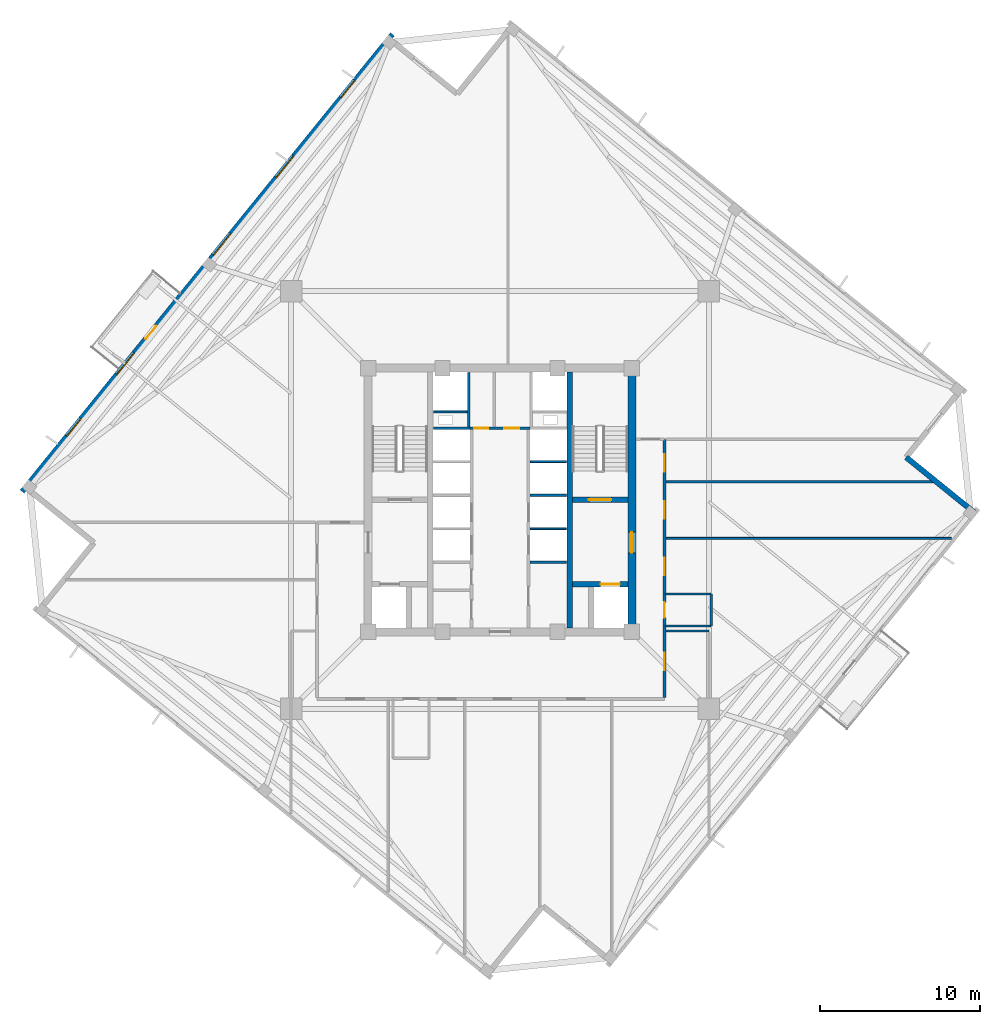
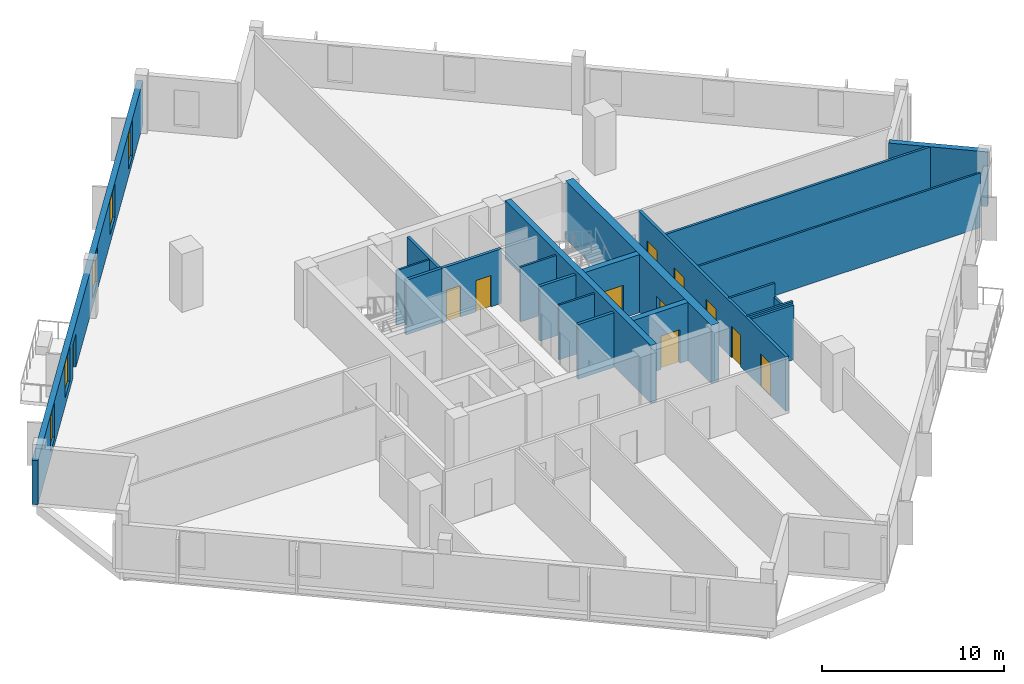
# One storey, part 4 of 9: 21 walls, 11 doors, 5 windows, 16 openings.
"""IFC4 building model written with IfcOpenShell, lengths in metres."""

from ifc_helpers import new_model, si_unit, direction, frame, frame_2d, origin, place, context, subcontext, project, spatial, rectangle, extrude, source, transform, mapped, material, layer, layer_set, type_object, element, fill, save


model = new_model("IFC4")

# Units and contexts
model_context = context("Model", 3, precision=1e-05, world=origin(), true_north=direction((0.0, 1.0)))
body_context = subcontext(model_context, "Body", "Model", "MODEL_VIEW")
ifc_project = project(units=[si_unit("LENGTHUNIT", "METRE"), si_unit("AREAUNIT", "SQUARE_METRE"), si_unit("VOLUMEUNIT", "CUBIC_METRE"), si_unit("PLANEANGLEUNIT", "RADIAN"), si_unit("MASSUNIT", "GRAM", prefix="KILO"), si_unit("THERMODYNAMICTEMPERATUREUNIT", "KELVIN")], contexts=[model_context])

# Site, building, storey
site_placement = place(None, origin())
site = spatial("IfcSite", under=ifc_project, at=site_placement, CompositionType="ELEMENT")
building_placement = place(site_placement, origin())
building = spatial("IfcBuilding", under=site, at=building_placement, Name="Kosmvard Interchange Tower", CompositionType="ELEMENT")
storey_placement = place(building_placement, frame((0.0, 0.0, 209.5)))
storey = spatial("IfcBuildingStorey", under=building, at=storey_placement, Name="L50", CompositionType="ELEMENT", Elevation=209.5)

# Walls
ifc_material_1 = material(Name="Acoustic gypsum partition system")
ifc_layer_1 = layer(ifc_material_1, 0.14990234375, Name="Acoustic gypsum partition system")
ifc_layer_set_1 = layer_set([ifc_layer_1], Name="Acoustic gypsum partition system")
wall_type_1 = type_object("IfcWallType", Name="Acoustic Suite & Meeting Partition 150", PredefinedType="PARTITIONING", material=ifc_layer_set_1)
wall_1_placement = place(storey_placement, frame((10.39501953125, 1.14990234375, 0.0), z_axis=(0.0, 0.0, 1.0), x_axis=(1.0, 0.0, 0.0)))
element("IfcWall", 1, at=wall_1_placement, inside=storey, type_object=wall_type_1, Name="L50 Room Partition 03.1", PredefinedType="PARTITIONING", context=body_context, shape_type="SweptSolid", body=[
    extrude(rectangle(XDim=16.747314453125, YDim=0.14990234375, at=frame_2d((8.37353515625, 0.0))), origin(), (0.0, 0.0, 1.0), 3.659912109375),
])
wall_2_placement = place(storey_placement, frame((10.39501953125, -8.199951171875, 0.0), z_axis=(0.0, 0.0, 1.0), x_axis=(1.0, 0.0, 0.0)))
element("IfcWall", 2, at=wall_2_placement, inside=storey, type_object=wall_type_1, Name="L50 Room Partition 12.1", PredefinedType="PARTITIONING", context=body_context, shape_type="SweptSolid", body=[
    extrude(rectangle(XDim=2.68603515625, YDim=0.14990234375, at=frame_2d((1.343017578125, 0.0))), origin(), (0.0, 0.0, 1.0), 3.659912109375),
])
ifc_material_2 = material(Name="Fire-rated gypsum partition system")
ifc_layer_2 = layer(ifc_material_2, 0.159912109375, Name="Fire-rated gypsum partition system")
ifc_layer_set_2 = layer_set([ifc_layer_2], Name="Fire-rated gypsum partition system")
wall_type_2 = type_object("IfcWallType", Name="Core Compartment & Shuttle Lobby Partition 160", PredefinedType="PARTITIONING", material=ifc_layer_set_2)
wall_3_placement = place(storey_placement, frame((-1.9599609375, 4.580078125, 0.0), z_axis=(0.0, 0.0, 1.0), x_axis=(0.0, 1.0, 0.0)))
element("IfcWall", 3, at=wall_3_placement, inside=storey, type_object=wall_type_2, Name="L50 North Core West Wall", PredefinedType="PARTITIONING", context=body_context, shape_type="SweptSolid", body=[
    extrude(rectangle(XDim=3.39990234375, YDim=0.159912109375, at=frame_2d((1.699951171875, 0.0))), origin(), (0.0, 0.0, 1.0), 3.659912109375),
])

# Wall, openings, doors
ifc_layer_3 = layer(ifc_material_2, 0.179931640625, Name="Fire-rated gypsum partition system")
ifc_layer_set_3 = layer_set([ifc_layer_3], Name="Fire-rated gypsum partition system")
wall_type_3 = type_object("IfcWallType", Name="Corridor & Hotel Compartment Partition 180", PredefinedType="PARTITIONING", material=ifc_layer_set_3)
wall_4_placement = place(storey_placement, frame((-1.8798828125, 4.489990234375, 0.0), z_axis=(0.0, 0.0, 1.0), x_axis=(1.0, 0.0, 0.0)))
wall_4 = element("IfcWall", 4, at=wall_4_placement, inside=storey, type_object=wall_type_3, Name="L50 Lift Lobby North Partition", PredefinedType="PARTITIONING", context=body_context, shape_type="SweptSolid", body=[
    extrude(rectangle(XDim=3.759765625, YDim=0.179931640625, at=frame_2d((1.8798828125, 0.0))), origin(), (0.0, 0.0, 1.0), 3.659912109375),
])
opening_1_placement = place(wall_4_placement, frame((0.280029296875, 0.0, 0.0)))
opening_1 = element("IfcOpeningElement", 5, at=opening_1_placement, cuts=wall_4, Name="Opening L50-KD1", PredefinedType="OPENING", context=body_context, shape_type="SweptSolid", body=[
    extrude(rectangle(XDim=0.8798828125, YDim=2.10009765625, at=frame_2d((0.43994140625, 1.050048828125))), frame((0.0, 0.10009765625, 0.0), z_axis=(0.0, -1.0, 0.0), x_axis=(1.0, 0.0, 0.0)), (0.0, 0.0, 1.0), 0.199951171875),
])
opening_2_placement = place(wall_4_placement, frame((2.14990234375, 0.0, 0.0)))
opening_2 = element("IfcOpeningElement", 6, at=opening_2_placement, cuts=wall_4, Name="Opening L50-KD2", PredefinedType="OPENING", context=body_context, shape_type="SweptSolid", body=[
    extrude(rectangle(XDim=0.949951171875, YDim=2.10009765625, at=frame_2d((0.47509765625, 1.050048828125))), frame((0.0, 0.10009765625, 0.0), z_axis=(0.0, -1.0, 0.0), x_axis=(1.0, 0.0, 0.0)), (0.0, 0.0, 1.0), 0.199951171875),
])
ifc_material_3 = material(Name="Painted fire-rated timber leaf", Category="wood")
door_type_1 = type_object("IfcDoorType", Name="Core Service Fire Door 950x2100 EI30", OperationType="NOTDEFINED", PredefinedType="DOOR", material=ifc_material_3)
shared_shape_1 = source(origin(), body_context, "Body", "SweptSolid", [
    extrude(rectangle(XDim=0.949951171875, YDim=2.10009765625, at=frame_2d((0.47509765625, 1.050048828125))), frame((0.0, 0.02490234375, 0.0), z_axis=(0.0, -1.0, 0.0), x_axis=(1.0, 0.0, 0.0)), (0.0, 0.0, 1.0), 0.050048828125),
])
door_1_placement = place(opening_2_placement, origin())
door_1 = element("IfcDoor", 7, at=door_1_placement, inside=storey, type_object=door_type_1, Name="L50 Core Tea Pantry Door", OperationType="SINGLE_SWING_RIGHT", OverallHeight=2.10009765625, OverallWidth=0.949951171875, PredefinedType="DOOR", context=body_context, shape_type="MappedRepresentation", body=[
    mapped(shared_shape_1, transform((0.0, 0.0, 0.0), scale=1.0)),
])
fill(opening_2, door_1)
door_type_2 = type_object("IfcDoorType", Name="Core Cupboard Fire Door 880x2100 EI30", OperationType="NOTDEFINED", PredefinedType="DOOR", material=ifc_material_3)
shared_shape_2 = source(origin(), body_context, "Body", "SweptSolid", [
    extrude(rectangle(XDim=0.8798828125, YDim=2.10009765625, at=frame_2d((0.43994140625, 1.050048828125))), frame((0.0, 0.02490234375, 0.0), z_axis=(0.0, -1.0, 0.0), x_axis=(1.0, 0.0, 0.0)), (0.0, 0.0, 1.0), 0.050048828125),
])
door_2_placement = place(opening_1_placement, origin())
door_2 = element("IfcDoor", 8, at=door_2_placement, inside=storey, type_object=door_type_2, Name="L50 Core Cleaner Cupboard Door", OperationType="SINGLE_SWING_LEFT", OverallHeight=2.10009765625, OverallWidth=0.8798828125, PredefinedType="DOOR", context=body_context, shape_type="MappedRepresentation", body=[
    mapped(shared_shape_2, transform((0.0, 0.0, 0.0), scale=1.0)),
])
fill(opening_1, door_2)

wall_5_placement = place(storey_placement, frame((10.300048828125, -12.35009765625, 0.0), z_axis=(0.0, 0.0, 1.0), x_axis=(0.0, 1.0, 0.0)))
wall_5 = element("IfcWall", 9, at=wall_5_placement, inside=storey, type_object=wall_type_3, Name="L50 Corridor Wall CE", PredefinedType="PARTITIONING", context=body_context, shape_type="SweptSolid", body=[
    extrude(rectangle(XDim=16.150146484375, YDim=0.179931640625, at=frame_2d((8.0751953125, 0.0))), origin(), (0.0, 0.0, 1.0), 3.659912109375),
])
opening_3_placement = place(wall_5_placement, frame((4.986083984375, 0.0, 0.0)))
opening_3 = element("IfcOpeningElement", 10, at=opening_3_placement, cuts=wall_5, Name="Opening L50-D01", PredefinedType="OPENING", context=body_context, shape_type="SweptSolid", body=[
    extrude(rectangle(XDim=0.949951171875, YDim=2.10009765625, at=frame_2d((0.47509765625, 1.050048828125))), frame((0.0, 0.10009765625, 0.0), z_axis=(0.0, -1.0, 0.0), x_axis=(1.0, 0.0, 0.0)), (0.0, 0.0, 1.0), 0.199951171875),
])
opening_4_placement = place(wall_5_placement, frame((14.110595703125, 0.0, 0.0)))
opening_4 = element("IfcOpeningElement", 11, at=opening_4_placement, cuts=wall_5, Name="Opening L50-D05", PredefinedType="OPENING", context=body_context, shape_type="SweptSolid", body=[
    extrude(rectangle(XDim=1.10009765625, YDim=2.199951171875, at=frame_2d((0.550048828125, 1.10009765625))), frame((0.0, 0.10009765625, 0.0), z_axis=(0.0, -1.0, 0.0), x_axis=(1.0, 0.0, 0.0)), (0.0, 0.0, 1.0), 0.199951171875),
])
opening_5_placement = place(wall_5_placement, frame((1.689453125, 0.0, 0.0)))
opening_5 = element("IfcOpeningElement", 12, at=opening_5_placement, cuts=wall_5, Name="Opening L50-D12", PredefinedType="OPENING", context=body_context, shape_type="SweptSolid", body=[
    extrude(rectangle(XDim=1.10009765625, YDim=2.199951171875, at=frame_2d((0.550048828125, 1.10009765625))), frame((0.0, 0.10009765625, 0.0), z_axis=(0.0, -1.0, 0.0), x_axis=(1.0, 0.0, 0.0)), (0.0, 0.0, 1.0), 0.199951171875),
])
opening_6_placement = place(wall_5_placement, frame((7.649658203125, 0.0, 0.0)))
opening_6 = element("IfcOpeningElement", 13, at=opening_6_placement, cuts=wall_5, Name="Opening L50-D13", PredefinedType="OPENING", context=body_context, shape_type="SweptSolid", body=[
    extrude(rectangle(XDim=1.10009765625, YDim=2.199951171875, at=frame_2d((0.550048828125, 1.10009765625))), frame((0.0, 0.10009765625, 0.0), z_axis=(0.0, -1.0, 0.0), x_axis=(1.0, 0.0, 0.0)), (0.0, 0.0, 1.0), 0.199951171875),
])
opening_7_placement = place(wall_5_placement, frame((11.175048828125, 0.0, 0.0)))
opening_7 = element("IfcOpeningElement", 14, at=opening_7_placement, cuts=wall_5, Name="Opening L50-D14", PredefinedType="OPENING", context=body_context, shape_type="SweptSolid", body=[
    extrude(rectangle(XDim=1.10009765625, YDim=2.199951171875, at=frame_2d((0.550048828125, 1.10009765625))), frame((0.0, 0.10009765625, 0.0), z_axis=(0.0, -1.0, 0.0), x_axis=(1.0, 0.0, 0.0)), (0.0, 0.0, 1.0), 0.199951171875),
])
ifc_material_4 = material(Name="Laminated moisture-resistant timber", Category="wood")
door_type_3 = type_object("IfcDoorType", Name="Accessible Washroom Door 950x2100", OperationType="NOTDEFINED", PredefinedType="DOOR", material=ifc_material_4)
door_3_placement = place(opening_3_placement, frame((0.949951171875, 0.0, 0.0), z_axis=(0.0, 0.0, 1.0), x_axis=(-1.0, 0.0, 0.0)))
door_3 = element("IfcDoor", 15, at=door_3_placement, inside=storey, type_object=door_type_3, Name="L50 Accessible Toilet Door", OperationType="SINGLE_SWING_LEFT", OverallHeight=2.10009765625, OverallWidth=0.949951171875, PredefinedType="DOOR", context=body_context, shape_type="MappedRepresentation", body=[
    mapped(shared_shape_1, transform((0.0, 0.0, 0.0), scale=1.0)),
])
fill(opening_3, door_3)
ifc_material_5 = material(Name="Engineered oak fire-rated timber", Category="wood")
door_type_4 = type_object("IfcDoorType", Name="Office Suite Entrance Door 1100x2200 FD30S", OperationType="NOTDEFINED", PredefinedType="DOOR", material=ifc_material_5)
shared_shape_3 = source(origin(), body_context, "Body", "SweptSolid", [
    extrude(rectangle(XDim=1.10009765625, YDim=2.199951171875, at=frame_2d((0.550048828125, 1.10009765625))), frame((0.0, 0.02490234375, 0.0), z_axis=(0.0, -1.0, 0.0), x_axis=(1.0, 0.0, 0.0)), (0.0, 0.0, 1.0), 0.050048828125),
])
door_4_placement = place(opening_4_placement, frame((1.10009765625, 0.0, 0.0), z_axis=(0.0, 0.0, 1.0), x_axis=(-1.0, 0.0, 0.0)))
door_4 = element("IfcDoor", 16, at=door_4_placement, inside=storey, type_object=door_type_4, Name="L50 Chancery Briefing Room 1 Door", OperationType="SINGLE_SWING_LEFT", OverallHeight=2.199951171875, OverallWidth=1.10009765625, PredefinedType="DOOR", context=body_context, shape_type="MappedRepresentation", body=[
    mapped(shared_shape_3, transform((0.0, 0.0, 0.0), scale=1.0)),
])
fill(opening_4, door_4)
door_5_placement = place(opening_5_placement, frame((1.10009765625, 0.0, 0.0), z_axis=(0.0, 0.0, 1.0), x_axis=(-1.0, 0.0, 0.0)))
door_5 = element("IfcDoor", 17, at=door_5_placement, inside=storey, type_object=door_type_4, Name="L50 Partner Office 1 Door", OperationType="SINGLE_SWING_RIGHT", OverallHeight=2.199951171875, OverallWidth=1.10009765625, PredefinedType="DOOR", context=body_context, shape_type="MappedRepresentation", body=[
    mapped(shared_shape_3, transform((0.0, 0.0, 0.0), scale=1.0)),
])
fill(opening_5, door_5)
door_6_placement = place(opening_6_placement, frame((1.10009765625, 0.0, 0.0), z_axis=(0.0, 0.0, 1.0), x_axis=(-1.0, 0.0, 0.0)))
door_6 = element("IfcDoor", 18, at=door_6_placement, inside=storey, type_object=door_type_4, Name="L50 Senior Counsel Office 2 Door", OperationType="SINGLE_SWING_LEFT", OverallHeight=2.199951171875, OverallWidth=1.10009765625, PredefinedType="DOOR", context=body_context, shape_type="MappedRepresentation", body=[
    mapped(shared_shape_3, transform((0.0, 0.0, 0.0), scale=1.0)),
])
fill(opening_6, door_6)
door_7_placement = place(opening_7_placement, frame((1.10009765625, 0.0, 0.0), z_axis=(0.0, 0.0, 1.0), x_axis=(-1.0, 0.0, 0.0)))
door_7 = element("IfcDoor", 19, at=door_7_placement, inside=storey, type_object=door_type_4, Name="L50 Managing Partner Office 3 Door", OperationType="SINGLE_SWING_RIGHT", OverallHeight=2.199951171875, OverallWidth=1.10009765625, PredefinedType="DOOR", context=body_context, shape_type="MappedRepresentation", body=[
    mapped(shared_shape_3, transform((0.0, 0.0, 0.0), scale=1.0)),
])
fill(opening_7, door_7)

# Wall
ifc_material_6 = material(Name="Precast concrete C45/55", Category="concrete")
ifc_layer_4 = layer(ifc_material_6, 0.340087890625, Name="Precast concrete C45/55")
ifc_layer_set_4 = layer_set([ifc_layer_4], Name="Precast concrete C45/55")
wall_type_4 = type_object("IfcWallType", Name="Mid Tower Precast Pier Wall 340 C45/55", PredefinedType="STANDARD", material=ifc_layer_set_4)
wall_6_placement = place(storey_placement, frame((29.703125, -0.78857421875, 0.0), z_axis=(0.0, 0.0, 1.0), x_axis=(-0.77714355312, 0.629323365087, 0.0)))
element("IfcWall", 20, at=wall_6_placement, inside=storey, type_object=wall_type_4, Name="L50 Precast Facade Wall N-SE1", PredefinedType="STANDARD", context=body_context, shape_type="SweptSolid", body=[
    extrude(rectangle(XDim=5.499755859375, YDim=0.340087890625, at=frame_2d((2.75, 0.0))), origin(), (0.0, 0.0, 1.0), 3.659912109375),
])

# Wall, openings, door, windows
wall_7_placement = place(storey_placement, frame((-6.73291015625, 29.154296875, 0.0), z_axis=(0.0, 0.0, 1.0), x_axis=(-0.629325378072, -0.77714192302, 0.0)))
wall_7 = element("IfcWall", 21, at=wall_7_placement, inside=storey, type_object=wall_type_4, Name="L50 Precast Facade Wall F-N", PredefinedType="STANDARD", context=body_context, shape_type="SweptSolid", body=[
    extrude(rectangle(XDim=36.840087890625, YDim=0.340087890625, at=frame_2d((18.419921875, 0.0))), origin(), (0.0, 0.0, 1.0), 2.9599609375),
])
opening_8_placement = place(wall_7_placement, frame((23.4951171875, 0.0, 0.0)))
opening_8 = element("IfcOpeningElement", 22, at=opening_8_placement, cuts=wall_7, Name="Opening L50-BDE", PredefinedType="OPENING", context=body_context, shape_type="SweptSolid", body=[
    extrude(rectangle(XDim=1.050048828125, YDim=2.25, at=frame_2d((0.52490234375, 1.125))), frame((0.0, 0.18017578125, 0.0), z_axis=(0.0, -1.0, 0.0), x_axis=(1.0, 0.0, 0.0)), (0.0, 0.0, 1.0), 0.360107421875),
])
opening_9_placement = place(wall_7_placement, frame((3.720703125, 0.0, 0.47998046875)))
opening_9 = element("IfcOpeningElement", 23, at=opening_9_placement, cuts=wall_7, Name="Opening L50-W11", PredefinedType="OPENING", context=body_context, shape_type="SweptSolid", body=[
    extrude(rectangle(XDim=1.39990234375, YDim=2.39990234375, at=frame_2d((0.699951171875, 1.199951171875))), frame((0.0, 0.18017578125, 0.0), z_axis=(0.0, -1.0, 0.0), x_axis=(1.0, 0.0, 0.0)), (0.0, 0.0, 1.0), 0.360107421875),
])
opening_10_placement = place(wall_7_placement, frame((9.80859375, 0.0, 0.580078125)))
opening_10 = element("IfcOpeningElement", 24, at=opening_10_placement, cuts=wall_7, Name="Opening L50-W12", PredefinedType="OPENING", context=body_context, shape_type="SweptSolid", body=[
    extrude(rectangle(XDim=1.75, YDim=2.300048828125, at=frame_2d((0.875, 1.14990234375))), frame((0.0, 0.18017578125, 0.0), z_axis=(0.0, -1.0, 0.0), x_axis=(1.0, 0.0, 0.0)), (0.0, 0.0, 1.0), 0.360107421875),
])
opening_11_placement = place(wall_7_placement, frame((16.05810546875, 0.0, 0.580078125)))
opening_11 = element("IfcOpeningElement", 25, at=opening_11_placement, cuts=wall_7, Name="Opening L50-W13", PredefinedType="OPENING", context=body_context, shape_type="SweptSolid", body=[
    extrude(rectangle(XDim=1.75, YDim=2.300048828125, at=frame_2d((0.875, 1.14990234375))), frame((0.0, 0.18017578125, 0.0), z_axis=(0.0, -1.0, 0.0), x_axis=(1.0, 0.0, 0.0)), (0.0, 0.0, 1.0), 0.360107421875),
])
opening_12_placement = place(wall_7_placement, frame((25.67626953125, 0.0, 0.580078125)))
opening_12 = element("IfcOpeningElement", 26, at=opening_12_placement, cuts=wall_7, Name="Opening L50-W14", PredefinedType="OPENING", context=body_context, shape_type="SweptSolid", body=[
    extrude(rectangle(XDim=1.75, YDim=2.300048828125, at=frame_2d((0.875, 1.14990234375))), frame((0.0, 0.18017578125, 0.0), z_axis=(0.0, -1.0, 0.0), x_axis=(1.0, 0.0, 0.0)), (0.0, 0.0, 1.0), 0.360107421875),
])
opening_13_placement = place(wall_7_placement, frame((30.982421875, 0.0, 0.47998046875)))
opening_13 = element("IfcOpeningElement", 27, at=opening_13_placement, cuts=wall_7, Name="Opening L50-W15", PredefinedType="OPENING", context=body_context, shape_type="SweptSolid", body=[
    extrude(rectangle(XDim=1.39990234375, YDim=2.39990234375, at=frame_2d((0.699951171875, 1.199951171875))), frame((0.0, 0.18017578125, 0.0), z_axis=(0.0, -1.0, 0.0), x_axis=(1.0, 0.0, 0.0)), (0.0, 0.0, 1.0), 0.360107421875),
])
ifc_material_7 = material(Name="Anodised aluminium and safety glass", Category="aluminium")
door_type_5 = type_object("IfcDoorType", Name="Tree-Balcony Glazed Door 1050x2250", OperationType="NOTDEFINED", PredefinedType="DOOR", material=ifc_material_7)
shared_shape_4 = source(origin(), body_context, "Body", "SweptSolid", [
    extrude(rectangle(XDim=1.050048828125, YDim=2.25, at=frame_2d((0.52490234375, 1.125))), frame((0.0, 0.02490234375, 0.0), z_axis=(0.0, -1.0, 0.0), x_axis=(1.0, 0.0, 0.0)), (0.0, 0.0, 1.0), 0.050048828125),
])
door_8_placement = place(opening_8_placement, origin())
door_8 = element("IfcDoor", 28, at=door_8_placement, inside=storey, type_object=door_type_5, Name="L50 Tree-Balcony Door BAL-L50-NE", OperationType="SINGLE_SWING_LEFT", OverallHeight=2.25, OverallWidth=1.050048828125, PredefinedType="DOOR", context=body_context, shape_type="MappedRepresentation", body=[
    mapped(shared_shape_4, transform((0.0, 0.0, 0.0), scale=1.0)),
])
fill(opening_8, door_8)
ifc_material_8 = material(Name="Low-E solar-control double glazing", Category="glass")
window_type_1 = type_object("IfcWindowType", Name="Notched Corner Feature Window 1400x2400", PartitioningType="SINGLE_PANEL", PredefinedType="WINDOW", material=ifc_material_8)
shared_shape_5 = source(origin(), body_context, "Body", "SweptSolid", [
    extrude(rectangle(XDim=1.39990234375, YDim=2.39990234375, at=frame_2d((0.699951171875, 1.199951171875))), frame((0.0, 0.030029296875, 0.0), z_axis=(0.0, -1.0, 0.0), x_axis=(1.0, 0.0, 0.0)), (0.0, 0.0, 1.0), 0.06005859375),
])
window_1_placement = place(opening_9_placement, origin())
window_1 = element("IfcWindow", 29, at=window_1_placement, inside=storey, type_object=window_type_1, Name="L50 Facade Punched Window 11", OverallHeight=2.39990234375, OverallWidth=1.39990234375, PartitioningType="SINGLE_PANEL", PredefinedType="WINDOW", context=body_context, shape_type="MappedRepresentation", body=[
    mapped(shared_shape_5, transform((0.0, 0.0, 0.0), scale=1.0)),
])
fill(opening_9, window_1)
window_2_placement = place(opening_13_placement, origin())
window_2 = element("IfcWindow", 30, at=window_2_placement, inside=storey, type_object=window_type_1, Name="L50 Facade Punched Window 15", OverallHeight=2.39990234375, OverallWidth=1.39990234375, PartitioningType="SINGLE_PANEL", PredefinedType="WINDOW", context=body_context, shape_type="MappedRepresentation", body=[
    mapped(shared_shape_5, transform((0.0, 0.0, 0.0), scale=1.0)),
])
fill(opening_13, window_2)
window_type_2 = type_object("IfcWindowType", Name="Zone 4 Suite Punched Window 1750x2300", PartitioningType="SINGLE_PANEL", PredefinedType="WINDOW", material=ifc_material_8)
shared_shape_6 = source(origin(), body_context, "Body", "SweptSolid", [
    extrude(rectangle(XDim=1.75, YDim=2.300048828125, at=frame_2d((0.875, 1.14990234375))), frame((0.0, 0.030029296875, 0.0), z_axis=(0.0, -1.0, 0.0), x_axis=(1.0, 0.0, 0.0)), (0.0, 0.0, 1.0), 0.06005859375),
])
window_3_placement = place(opening_10_placement, origin())
window_3 = element("IfcWindow", 31, at=window_3_placement, inside=storey, type_object=window_type_2, Name="L50 Facade Punched Window 12", OverallHeight=2.300048828125, OverallWidth=1.75, PartitioningType="SINGLE_PANEL", PredefinedType="WINDOW", context=body_context, shape_type="MappedRepresentation", body=[
    mapped(shared_shape_6, transform((0.0, 0.0, 0.0), scale=1.0)),
])
fill(opening_10, window_3)
window_4_placement = place(opening_11_placement, origin())
window_4 = element("IfcWindow", 32, at=window_4_placement, inside=storey, type_object=window_type_2, Name="L50 Facade Punched Window 13", OverallHeight=2.300048828125, OverallWidth=1.75, PartitioningType="SINGLE_PANEL", PredefinedType="WINDOW", context=body_context, shape_type="MappedRepresentation", body=[
    mapped(shared_shape_6, transform((0.0, 0.0, 0.0), scale=1.0)),
])
fill(opening_11, window_4)
window_5_placement = place(opening_12_placement, origin())
window_5 = element("IfcWindow", 33, at=window_5_placement, inside=storey, type_object=window_type_2, Name="L50 Facade Punched Window 14", OverallHeight=2.300048828125, OverallWidth=1.75, PartitioningType="SINGLE_PANEL", PredefinedType="WINDOW", context=body_context, shape_type="MappedRepresentation", body=[
    mapped(shared_shape_6, transform((0.0, 0.0, 0.0), scale=1.0)),
])
fill(opening_12, window_5)

# Walls
ifc_material_9 = material(Name="Gypsum board partition system")
ifc_layer_5 = layer(ifc_material_9, 0.1201171875, Name="Gypsum board partition system")
ifc_layer_set_5 = layer_set([ifc_layer_5], Name="Gypsum board partition system")
wall_type_5 = type_object("IfcWallType", Name="Office Cellular Partition 120", PredefinedType="PARTITIONING", material=ifc_layer_set_5)
wall_8_placement = place(storey_placement, frame((10.39501953125, -2.39990234375, 0.0), z_axis=(0.0, 0.0, 1.0), x_axis=(1.0, 0.0, 0.0)))
element("IfcWall", 34, at=wall_8_placement, inside=storey, type_object=wall_type_5, Name="L50 Room Partition 14.1", PredefinedType="PARTITIONING", context=body_context, shape_type="SweptSolid", body=[
    extrude(rectangle(XDim=17.8681640625, YDim=0.1201171875, at=frame_2d((8.93408203125, 0.0))), origin(), (0.0, 0.0, 1.0), 3.659912109375),
])
ifc_material_10 = material(Name="Concrete blockwork masonry", Category="masonry")
ifc_layer_6 = layer(ifc_material_10, 0.179931640625, Name="Concrete blockwork masonry")
ifc_layer_set_6 = layer_set([ifc_layer_6], Name="Concrete blockwork masonry")
wall_type_6 = type_object("IfcWallType", Name="Riser & Lift Bank Divider Wall 180", PredefinedType="PARTITIONING", material=ifc_layer_set_6)
for number, where, z_axis, x_axis, name in (
    (35, (1.889892578125, -3.89990234375, 0.0), (0.0, 0.0, 1.0), (1.0, 0.0, 0.0), "L50 East Bank Divider BD1"),
    (36, (1.889892578125, 0.300048828125, 0.0), (0.0, 0.0, 1.0), (1.0, 0.0, 0.0), "L50 East Bank Divider BD2"),
    (37, (-4.169921875, 4.489990234375, 0.0), (0.0, 0.0, 1.0), (1.0, 0.0, 0.0), "L50 West Bank Divider BD3"),
):
    element("IfcWall", number, at=place(storey_placement, frame(where, z_axis=z_axis, x_axis=x_axis)), inside=storey, type_object=wall_type_6, Name=name, PredefinedType="PARTITIONING", context=body_context, shape_type="SweptSolid", body=[
        extrude(rectangle(XDim=2.280029296875, YDim=0.179931640625, at=frame_2d((1.14013671875, 0.0))), origin(), (0.0, 0.0, 1.0), 3.659912109375),
    ])
ifc_material_11 = material(Name="Fire-rated gypsum shaftwall system")
ifc_layer_7 = layer(ifc_material_11, 0.1201171875, Name="Fire-rated gypsum shaftwall system")
ifc_layer_set_7 = layer_set([ifc_layer_7], Name="Fire-rated gypsum shaftwall system")
wall_type_7 = type_object("IfcWallType", Name="Shaft & Riser Fire Partition 120 EI60", PredefinedType="PARTITIONING", material=ifc_layer_set_7)
for number, where, z_axis, x_axis, name in (
    (38, (1.89990234375, -1.800048828125, 0.0), (0.0, 0.0, 1.0), (1.0, 0.0, 0.0), "L50 Shaft Divider PL-M3"),
    (39, (1.89990234375, 2.39990234375, 0.0), (0.0, 0.0, 1.0), (1.0, 0.0, 0.0), "L50 Shaft Divider PL-H3"),
):
    element("IfcWall", number, at=place(storey_placement, frame(where, z_axis=z_axis, x_axis=x_axis)), inside=storey, type_object=wall_type_7, Name=name, PredefinedType="PARTITIONING", context=body_context, shape_type="SweptSolid", body=[
        extrude(rectangle(XDim=2.260009765625, YDim=0.1201171875, at=frame_2d((1.1298828125, 0.0))), origin(), (0.0, 0.0, 1.0), 3.659912109375),
    ])
wall_9_placement = place(storey_placement, frame((-4.159912109375, 5.52001953125, 0.0), z_axis=(0.0, 0.0, 1.0), x_axis=(1.0, 0.0, 0.0)))
element("IfcWall", 40, at=wall_9_placement, inside=storey, type_object=wall_type_7, Name="L50 Riser Shaft Divider W", PredefinedType="PARTITIONING", context=body_context, shape_type="SweptSolid", body=[
    extrude(rectangle(XDim=2.099853515625, YDim=0.1201171875, at=frame_2d((1.0498046875, 0.0))), origin(), (0.0, 0.0, 1.0), 3.659912109375),
])
ifc_material_12 = material(Name="Concrete C60/75", Category="concrete")
ifc_layer_8 = layer(ifc_material_12, 0.360107421875, Name="Concrete C60/75")
ifc_layer_set_8 = layer_set([ifc_layer_8], Name="Concrete C60/75")
wall_type_8 = type_object("IfcWallType", Name="Stair & Lift Shaft Shear Wall 360 C60/75", PredefinedType="SHEAR", material=ifc_layer_set_8)
wall_10_placement = place(storey_placement, frame((4.360107421875, -8.0, 0.0), z_axis=(0.0, 0.0, 1.0), x_axis=(0.0, 1.0, 0.0)))
element("IfcWall", 41, at=wall_10_placement, inside=storey, type_object=wall_type_8, Name="L50 Shaft Shear Wall SW-E", PredefinedType="SHEAR", context=body_context, shape_type="SweptSolid", body=[
    extrude(rectangle(XDim=16.0, YDim=0.360107421875, at=frame_2d((8.0, 0.0))), origin(), (0.0, 0.0, 1.0), 3.89990234375),
])

# Wall, opening, door
wall_11_placement = place(storey_placement, frame((4.5400390625, 0.02001953125, 0.0), z_axis=(0.0, 0.0, 1.0), x_axis=(1.0, 0.0, 0.0)))
wall_11 = element("IfcWall", 42, at=wall_11_placement, inside=storey, type_object=wall_type_8, Name="L50 Shaft Shear Wall SW-ST2", PredefinedType="SHEAR", context=body_context, shape_type="SweptSolid", body=[
    extrude(rectangle(XDim=3.4599609375, YDim=0.360107421875, at=frame_2d((1.72998046875, 0.0))), origin(), (0.0, 0.0, 1.0), 3.89990234375),
])
opening_14_placement = place(wall_11_placement, frame((1.030029296875, 0.0, 0.0)))
opening_14 = element("IfcOpeningElement", 43, at=opening_14_placement, cuts=wall_11, Name="Opening L50-SD2", PredefinedType="OPENING", context=body_context, shape_type="SweptSolid", body=[
    extrude(rectangle(XDim=1.39990234375, YDim=2.199951171875, at=frame_2d((0.699951171875, 1.10009765625))), frame((0.0, 0.18994140625, 0.0), z_axis=(0.0, -1.0, 0.0), x_axis=(1.0, 0.0, 0.0)), (0.0, 0.0, 1.0), 0.380126953125),
])
ifc_material_13 = material(Name="Painted fire-rated steel leaf", Category="steel")
door_type_6 = type_object("IfcDoorType", Name="Protected Stair Door 1400x2200 FD60S", OperationType="NOTDEFINED", PredefinedType="DOOR", material=ifc_material_13)
shared_shape_7 = source(origin(), body_context, "Body", "SweptSolid", [
    extrude(rectangle(XDim=1.39990234375, YDim=2.199951171875, at=frame_2d((0.699951171875, 1.10009765625))), frame((0.0, 0.02490234375, 0.0), z_axis=(0.0, -1.0, 0.0), x_axis=(1.0, 0.0, 0.0)), (0.0, 0.0, 1.0), 0.050048828125),
])
door_9_placement = place(opening_14_placement, origin())
door_9 = element("IfcDoor", 44, at=door_9_placement, inside=storey, type_object=door_type_6, Name="L50 Stair ST-2 Enclosure Door", OperationType="SINGLE_SWING_RIGHT", OverallHeight=2.199951171875, OverallWidth=1.39990234375, PredefinedType="DOOR", context=body_context, shape_type="MappedRepresentation", body=[
    mapped(shared_shape_7, transform((0.0, 0.0, 0.0), scale=1.0)),
])
fill(opening_14, door_9)

wall_12_placement = place(storey_placement, frame((4.5400390625, -5.280029296875, 0.0), z_axis=(0.0, 0.0, 1.0), x_axis=(1.0, 0.0, 0.0)))
wall_12 = element("IfcWall", 45, at=wall_12_placement, inside=storey, type_object=wall_type_8, Name="L50 Shaft Shear Wall SW-FF2", PredefinedType="SHEAR", context=body_context, shape_type="SweptSolid", body=[
    extrude(rectangle(XDim=3.4599609375, YDim=0.360107421875, at=frame_2d((1.72998046875, 0.0))), origin(), (0.0, 0.0, 1.0), 3.89990234375),
])
opening_15_placement = place(wall_12_placement, frame((1.760009765625, 0.0, 0.0)))
opening_15 = element("IfcOpeningElement", 46, at=opening_15_placement, cuts=wall_12, Name="Opening LD-FF-2-L50", PredefinedType="OPENING", context=body_context, shape_type="SweptSolid", body=[
    extrude(rectangle(XDim=1.199951171875, YDim=2.25, at=frame_2d((0.60009765625, 1.125))), frame((0.0, 0.18994140625, 0.0), z_axis=(0.0, -1.0, 0.0), x_axis=(1.0, 0.0, 0.0)), (0.0, 0.0, 1.0), 0.380126953125),
])
ifc_material_14 = material(Name="Brushed stainless steel sliding leaf", Category="steel")
door_type_7 = type_object("IfcDoorType", Name="Firefighting Lift Sliding Landing Door 1200x2250 EI120", OperationType="DOUBLE_DOOR_SLIDING", PredefinedType="DOOR", material=ifc_material_14)
shared_shape_8 = source(origin(), body_context, "Body", "SweptSolid", [
    extrude(rectangle(XDim=1.199951171875, YDim=2.25, at=frame_2d((0.60009765625, 1.125))), frame((0.0, 0.02490234375, 0.0), z_axis=(0.0, -1.0, 0.0), x_axis=(1.0, 0.0, 0.0)), (0.0, 0.0, 1.0), 0.050048828125),
])
door_10_placement = place(opening_15_placement, origin())
door_10 = element("IfcDoor", 47, at=door_10_placement, inside=storey, type_object=door_type_7, Name="Lift FF-2 Landing Door L50", OperationType="DOUBLE_DOOR_SLIDING", OverallHeight=2.25, OverallWidth=1.199951171875, PredefinedType="DOOR", context=body_context, shape_type="MappedRepresentation", body=[
    mapped(shared_shape_8, transform((0.0, 0.0, 0.0), scale=1.0)),
])
fill(opening_15, door_10)

ifc_layer_9 = layer(ifc_material_12, 0.5, Name="Concrete C60/75")
ifc_layer_set_9 = layer_set([ifc_layer_9], Name="Concrete C60/75")
wall_type_9 = type_object("IfcWallType", Name="Upper Core Shear Wall 500 C60/75", PredefinedType="SHEAR", material=ifc_layer_set_9)
wall_13_placement = place(storey_placement, frame((8.25, -8.0, 0.0), z_axis=(0.0, 0.0, 1.0), x_axis=(0.0, 1.0, 0.0)))
wall_13 = element("IfcWall", 48, at=wall_13_placement, inside=storey, type_object=wall_type_9, Name="L50 Core Shear Wall CW-E", PredefinedType="SHEAR", context=body_context, shape_type="SweptSolid", body=[
    extrude(rectangle(XDim=16.0, YDim=0.5, at=frame_2d((8.0, 0.0))), origin(), (0.0, 0.0, 1.0), 3.89990234375),
])
opening_16_placement = place(wall_13_placement, frame((4.68994140625, 0.0, 0.0)))
opening_16 = element("IfcOpeningElement", 49, at=opening_16_placement, cuts=wall_13, Name="Opening L50-FD2", PredefinedType="OPENING", context=body_context, shape_type="SweptSolid", body=[
    extrude(rectangle(XDim=1.300048828125, YDim=2.199951171875, at=frame_2d((0.64990234375, 1.10009765625))), frame((0.0, 0.260009765625, 0.0), z_axis=(0.0, -1.0, 0.0), x_axis=(1.0, 0.0, 0.0)), (0.0, 0.0, 1.0), 0.52001953125),
])
door_type_8 = type_object("IfcDoorType", Name="Firefighting Lobby Door 1300x2200 EI60", OperationType="NOTDEFINED", PredefinedType="DOOR", material=ifc_material_13)
shared_shape_9 = source(origin(), body_context, "Body", "SweptSolid", [
    extrude(rectangle(XDim=1.300048828125, YDim=2.199951171875, at=frame_2d((0.64990234375, 1.10009765625))), frame((0.0, 0.02490234375, 0.0), z_axis=(0.0, -1.0, 0.0), x_axis=(1.0, 0.0, 0.0)), (0.0, 0.0, 1.0), 0.050048828125),
])
door_11_placement = place(opening_16_placement, origin())
door_11 = element("IfcDoor", 50, at=door_11_placement, inside=storey, type_object=door_type_8, Name="L50 Firefighting Lobby East Door", OperationType="SINGLE_SWING_RIGHT", OverallHeight=2.199951171875, OverallWidth=1.300048828125, PredefinedType="DOOR", context=body_context, shape_type="MappedRepresentation", body=[
    mapped(shared_shape_9, transform((0.0, 0.0, 0.0), scale=1.0)),
])
fill(opening_16, door_11)

# Walls
ifc_material_15 = material(Name="Moisture-resistant gypsum partition")
ifc_layer_10 = layer(ifc_material_15, 0.135009765625, Name="Moisture-resistant gypsum partition")
ifc_layer_set_10 = layer_set([ifc_layer_10], Name="Moisture-resistant gypsum partition")
wall_type_10 = type_object("IfcWallType", Name="Wet Room Moisture-Resistant Partition 135", PredefinedType="PARTITIONING", material=ifc_layer_set_10)
wall_14_placement = place(storey_placement, frame((10.320068359375, -7.888916015625, 0.0), z_axis=(0.0, 0.0, 1.0), x_axis=(1.0, 0.0, 0.0)))
element("IfcWall", 51, at=wall_14_placement, inside=storey, type_object=wall_type_10, Name="L50 Washroom Partition AWC1-S", PredefinedType="PARTITIONING", context=body_context, shape_type="SweptSolid", body=[
    extrude(rectangle(XDim=2.89990234375, YDim=0.135009765625, at=frame_2d((1.449951171875, 0.0))), origin(), (0.0, 0.0, 1.0), 3.659912109375),
])
wall_15_placement = place(storey_placement, frame((13.219970703125, -7.888916015625, 0.0), z_axis=(0.0, 0.0, 1.0), x_axis=(0.0, 1.0, 0.0)))
element("IfcWall", 52, at=wall_15_placement, inside=storey, type_object=wall_type_10, Name="L50 Washroom Partition AWC1-E", PredefinedType="PARTITIONING", context=body_context, shape_type="SweptSolid", body=[
    extrude(rectangle(XDim=2.0, YDim=0.135009765625, at=frame_2d((1.0, 0.0))), origin(), (0.0, 0.0, 1.0), 2.760009765625),
])
wall_16_placement = place(storey_placement, frame((10.320068359375, -5.888916015625, 0.0), z_axis=(0.0, 0.0, 1.0), x_axis=(1.0, 0.0, 0.0)))
element("IfcWall", 53, at=wall_16_placement, inside=storey, type_object=wall_type_10, Name="L50 Washroom Partition AWC1-N", PredefinedType="PARTITIONING", context=body_context, shape_type="SweptSolid", body=[
    extrude(rectangle(XDim=2.89990234375, YDim=0.135009765625, at=frame_2d((1.449951171875, 0.0))), origin(), (0.0, 0.0, 1.0), 3.659912109375),
])

save(model, "model.ifc")
